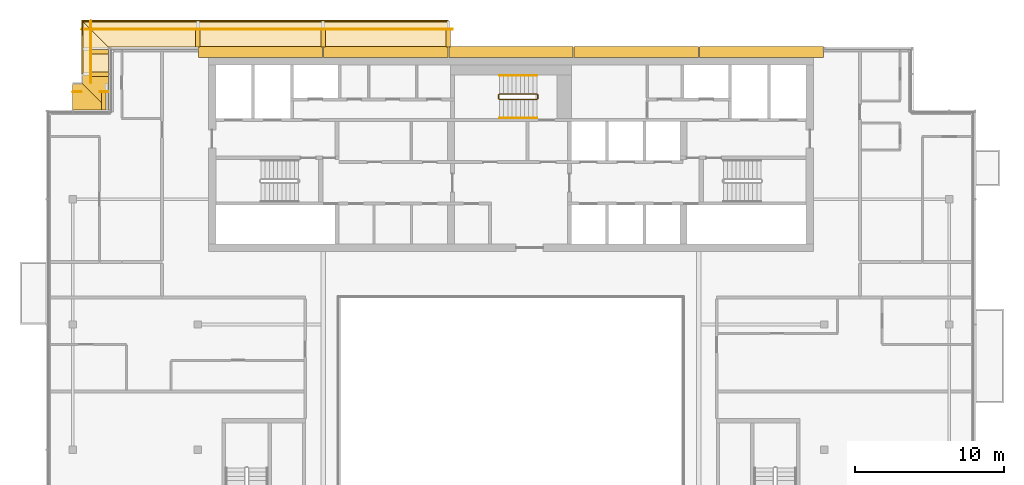
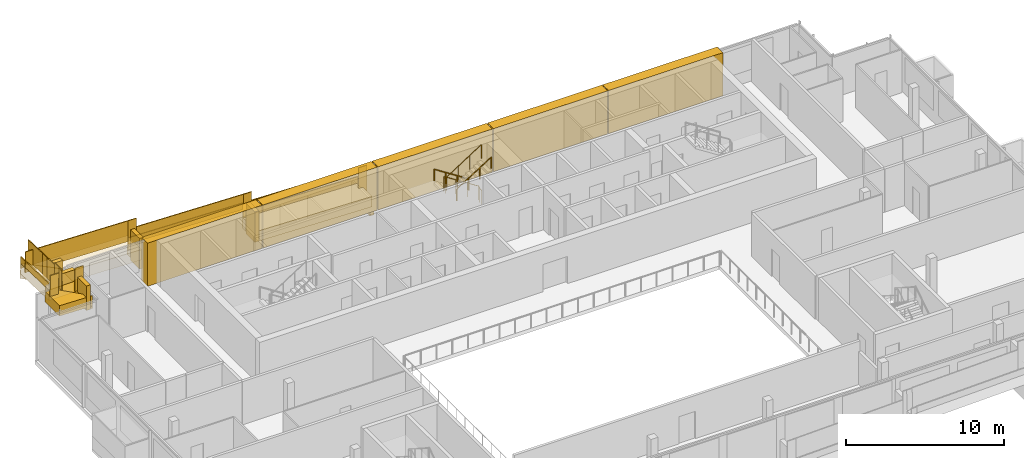
# One storey, part 19 of 21: 21 coverings, 15 railings.
"""IFC4 building model written with IfcOpenShell, lengths in metres."""

from ifc_helpers import new_model, si_unit, direction, frame, origin, origin_2d, place, context, subcontext, project, spatial, polyline, rectangle, circle, outline, extrude, material, layer, layer_set, type_object, element, save


model = new_model("IFC4")

# Units and contexts
model_context = context("Model", 3, precision=1e-05, world=origin(), true_north=direction((0.0, 1.0)))
body_context = subcontext(model_context, "Body", "Model", "MODEL_VIEW")
ifc_project = project(units=[si_unit("LENGTHUNIT", "METRE"), si_unit("AREAUNIT", "SQUARE_METRE"), si_unit("VOLUMEUNIT", "CUBIC_METRE"), si_unit("PLANEANGLEUNIT", "RADIAN"), si_unit("MASSUNIT", "GRAM", prefix="KILO")], contexts=[model_context])

# Site, building, storey
site_placement = place(None, origin())
site = spatial("IfcSite", under=ifc_project, at=site_placement, CompositionType="ELEMENT")
building_placement = place(site_placement, origin())
building = spatial("IfcBuilding", under=site, at=building_placement, Name="Saffron Gate Tower", CompositionType="ELEMENT")
storey_placement = place(building_placement, frame((0.0, 0.0, 288.75)))
storey = spatial("IfcBuildingStorey", under=building, at=storey_placement, Name="L70", CompositionType="ELEMENT", Elevation=288.75)

# Coverings
ifc_material_1 = material(Name="Ceramic-printed bronze insulated panel")
ifc_layer_1 = layer(ifc_material_1, 0.739990234375)
ifc_layer_set_1 = layer_set([ifc_layer_1], Name="CLD5 ceramic-printed cladding panel 740")
covering_type_1 = type_object("IfcCoveringType", Name="CLD5 ceramic-printed cladding panel 740", PredefinedType="CLADDING", material=ifc_layer_set_1)
covering_1_placement = place(storey_placement, origin())
element("IfcCovering", 1, at=covering_1_placement, inside=storey, type_object=covering_type_1, Name="CLADDING ceramic-printed panel", PredefinedType="CLADDING", context=body_context, shape_type="SweptSolid", body=[
    extrude(outline(polyline([(108.56494140625, 75.639892578125), (100.235107421875, 75.639892578125), (100.235107421875, 74.89990234375), (108.56494140625, 74.89990234375), (108.56494140625, 75.639892578125)])), origin(), (0.0, 0.0, 1.0), 3.320068359375),
])
covering_2_placement = place(storey_placement, origin())
element("IfcCovering", 2, at=covering_2_placement, inside=storey, type_object=covering_type_1, Name="CLADDING ceramic-printed panel", PredefinedType="CLADDING", context=body_context, shape_type="SweptSolid", body=[
    extrude(outline(polyline([(100.1650390625, 75.639892578125), (91.8349609375, 75.639892578125), (91.8349609375, 74.89990234375), (100.1650390625, 74.89990234375), (100.1650390625, 75.639892578125)])), origin(), (0.0, 0.0, 1.0), 3.320068359375),
])
covering_3_placement = place(storey_placement, origin())
element("IfcCovering", 3, at=covering_3_placement, inside=storey, type_object=covering_type_1, Name="CLADDING ceramic-printed panel", PredefinedType="CLADDING", context=body_context, shape_type="SweptSolid", body=[
    extrude(outline(polyline([(91.764892578125, 75.639892578125), (83.43505859375, 75.639892578125), (83.43505859375, 74.89990234375), (91.764892578125, 74.89990234375), (91.764892578125, 75.639892578125)])), origin(), (0.0, 0.0, 1.0), 3.320068359375),
])
covering_4_placement = place(storey_placement, origin())
element("IfcCovering", 4, at=covering_4_placement, inside=storey, type_object=covering_type_1, Name="CLADDING ceramic-printed panel", PredefinedType="CLADDING", context=body_context, shape_type="SweptSolid", body=[
    extrude(outline(polyline([(83.364990234375, 75.639892578125), (75.034912109375, 75.639892578125), (75.034912109375, 74.89990234375), (83.364990234375, 74.89990234375), (83.364990234375, 75.639892578125)])), origin(), (0.0, 0.0, 1.0), 3.320068359375),
])
covering_5_placement = place(storey_placement, origin())
element("IfcCovering", 5, at=covering_5_placement, inside=storey, type_object=covering_type_1, Name="CLADDING ceramic-printed panel", PredefinedType="CLADDING", context=body_context, shape_type="SweptSolid", body=[
    extrude(outline(polyline([(74.965087890625, 75.639892578125), (66.635009765625, 75.639892578125), (66.635009765625, 74.89990234375), (74.965087890625, 74.89990234375), (74.965087890625, 75.639892578125)])), origin(), (0.0, 0.0, 1.0), 3.320068359375),
])

# Railings
ifc_material_2 = material(Name="Stainless steel and laminated glass", Category="steel")
railing_type_1 = type_object("IfcRailingType", Name="CR1 Stair guard 1100", PredefinedType="GUARDRAIL", material=ifc_material_2)
railing_1_placement = place(storey_placement, frame((89.39990234375, 72.14990234375, 0.0)))
element("IfcRailing", 6, at=railing_1_placement, inside=storey, type_object=railing_type_1, Name="L70 ST-C stair guard 1", PredefinedType="GUARDRAIL", context=body_context, shape_type="SweptSolid", body=[
    extrude(circle(Radius=0.02392578125, at=origin_2d()), frame((0.0, 0.0, 1.076171875), z_axis=(0.0, 1.0, 0.0), x_axis=(-1.0, 0.0, 0.0)), (0.0, 0.0, 1.0), 0.25),
    extrude(circle(Radius=0.02392578125, at=origin_2d()), frame((0.0, 0.25, 1.076171875), z_axis=(-0.257669022063, 0.258932105505, 0.930892496375), x_axis=(-0.708833529934, -0.705375805398, 0.0)), (0.0, 0.0, 1.0), 0.193359375),
    extrude(circle(Radius=0.02392578125, at=origin_2d()), frame((-0.0498046875, 0.300048828125, 1.255859375), z_axis=(-0.841162588446, 0.0, 0.540782303519), x_axis=(0.0, -1.0, 0.0)), (0.0, 0.0, 1.0), 2.995849609375),
    extrude(circle(Radius=0.02392578125, at=origin_2d()), frame((-2.56982421875, 0.300048828125, 2.8759765625), z_axis=(-0.707106781187, -0.707106781187, 0.0), x_axis=(0.707106781187, -0.707106781187, 0.0)), (0.0, 0.0, 1.0), 0.07080078125),
    extrude(circle(Radius=0.02392578125, at=origin_2d()), frame((-2.619873046875, 0.25, 2.8759765625), z_axis=(0.0, -1.0, 0.0), x_axis=(1.0, 0.0, 0.0)), (0.0, 0.0, 1.0), 0.25),
    extrude(circle(Radius=0.02392578125, at=origin_2d()), frame((-2.619873046875, 0.0, 2.8759765625), z_axis=(0.258932105505, -0.257669022063, 0.930892496375), x_axis=(0.705375805398, 0.708833529934, 0.0)), (0.0, 0.0, 1.0), 0.193359375),
    extrude(circle(Radius=0.02392578125, at=origin_2d()), frame((-2.56982421875, -0.0498046875, 3.05615234375), z_axis=(0.841162588446, 0.0, 0.540782303519), x_axis=(0.0, 1.0, 0.0)), (0.0, 0.0, 1.0), 2.995849609375),
    extrude(circle(Radius=0.02099609375, at=origin_2d()), origin(), (0.0, 0.0, 1.0), 1.052001953125),
    extrude(circle(Radius=0.02099609375, at=origin_2d()), frame((0.0, 0.25, 0.0)), (0.0, 0.0, 1.0), 1.052001953125),
    extrude(circle(Radius=0.02099609375, at=origin_2d()), frame((-0.0498046875, 0.300048828125, 0.179931640625)), (0.0, 0.0, 1.0), 1.052001953125),
    extrude(circle(Radius=0.02099609375, at=origin_2d()), frame((-0.889892578125, 0.300048828125, 0.719970703125)), (0.0, 0.0, 1.0), 1.052001953125),
    extrude(circle(Radius=0.02099609375, at=origin_2d()), frame((-1.729736328125, 0.300048828125, 1.260009765625)), (0.0, 0.0, 1.0), 1.052001953125),
    extrude(circle(Radius=0.02099609375, at=origin_2d()), frame((-2.56982421875, 0.300048828125, 1.800048828125)), (0.0, 0.0, 1.0), 1.052001953125),
    extrude(circle(Radius=0.02099609375, at=origin_2d()), frame((-2.619873046875, 0.25, 1.800048828125)), (0.0, 0.0, 1.0), 1.052001953125),
    extrude(circle(Radius=0.02099609375, at=origin_2d()), frame((-2.619873046875, 0.0, 1.800048828125)), (0.0, 0.0, 1.0), 1.052001953125),
    extrude(circle(Radius=0.02099609375, at=origin_2d()), frame((-2.56982421875, -0.0498046875, 1.97998046875)), (0.0, 0.0, 1.0), 1.052001953125),
    extrude(circle(Radius=0.02099609375, at=origin_2d()), frame((-1.729736328125, -0.0498046875, 2.52001953125)), (0.0, 0.0, 1.0), 1.052001953125),
    extrude(circle(Radius=0.02099609375, at=origin_2d()), frame((-0.889892578125, -0.0498046875, 3.06005859375)), (0.0, 0.0, 1.0), 1.052001953125),
    extrude(circle(Radius=0.02099609375, at=origin_2d()), frame((-0.0498046875, -0.0498046875, 3.60009765625)), (0.0, 0.0, 1.0), 1.052001953125),
])
ifc_material_3 = material(Name="Stainless steel", Category="steel")
railing_type_2 = type_object("IfcRailingType", Name="CR2 Stair handrail 900", PredefinedType="HANDRAIL", material=ifc_material_3)
railing_2_placement = place(storey_placement, frame((89.35009765625, 73.699951171875, 0.179931640625)))
element("IfcRailing", 7, at=railing_2_placement, inside=storey, type_object=railing_type_2, Name="L70 ST-C stair handrail 1", PredefinedType="HANDRAIL", context=body_context, shape_type="SweptSolid", body=[
    extrude(circle(Radius=0.02392578125, at=origin_2d()), frame((0.0, 0.0, 0.8759765625), z_axis=(-0.841162588446, 0.0, 0.540782303519), x_axis=(0.0, -1.0, 0.0)), (0.0, 0.0, 1.0), 2.995849609375),
    extrude(circle(Radius=0.02099609375, at=origin_2d()), origin(), (0.0, 0.0, 1.0), 0.851806640625),
    extrude(circle(Radius=0.02099609375, at=origin_2d()), frame((-0.840087890625, 0.0, 0.5400390625)), (0.0, 0.0, 1.0), 0.851806640625),
    extrude(circle(Radius=0.02099609375, at=origin_2d()), frame((-1.679931640625, 0.0, 1.080078125)), (0.0, 0.0, 1.0), 0.851806640625),
    extrude(circle(Radius=0.02099609375, at=origin_2d()), frame((-2.52001953125, 0.0, 1.6201171875)), (0.0, 0.0, 1.0), 0.851806640625),
])
railing_3_placement = place(storey_placement, frame((86.830078125, 70.85009765625, 1.97998046875)))
element("IfcRailing", 8, at=railing_3_placement, inside=storey, type_object=railing_type_2, Name="L70 ST-C stair handrail 2", PredefinedType="HANDRAIL", context=body_context, shape_type="SweptSolid", body=[
    extrude(circle(Radius=0.02392578125, at=origin_2d()), frame((0.0, 0.0, 0.8759765625), z_axis=(0.841162588446, 0.0, 0.540782303519), x_axis=(0.0, 1.0, 0.0)), (0.0, 0.0, 1.0), 2.995849609375),
    extrude(circle(Radius=0.02099609375, at=origin_2d()), origin(), (0.0, 0.0, 1.0), 0.851806640625),
    extrude(circle(Radius=0.02099609375, at=origin_2d()), frame((0.840087890625, 0.0, 0.5400390625)), (0.0, 0.0, 1.0), 0.851806640625),
    extrude(circle(Radius=0.02099609375, at=origin_2d()), frame((1.679931640625, 0.0, 1.080078125)), (0.0, 0.0, 1.0), 0.851806640625),
    extrude(circle(Radius=0.02099609375, at=origin_2d()), frame((2.52001953125, 0.0, 1.6201171875)), (0.0, 0.0, 1.0), 0.851806640625),
])

# Coverings
ifc_material_4 = material(Name="Timber, thermally modified ash", Category="wood")
ifc_layer_2 = layer(ifc_material_4, 0.800048828125)
ifc_layer_set_2 = layer_set([ifc_layer_2], Name="LD1 ledge timber")
covering_type_2 = type_object("IfcCoveringType", Name="LD1 ledge timber", PredefinedType="CLADDING", material=ifc_layer_set_2)
covering_6_placement = place(storey_placement, frame((83.39990234375, 75.60009765625, 0.629638671875), z_axis=(0.028791175352, 0.0, 0.999585448184), x_axis=(-0.999585448184, 0.0, 0.028791175352)))
element("IfcCovering", 9, at=covering_6_placement, inside=storey, type_object=covering_type_2, Name="LEDGE", PredefinedType="CLADDING", context=body_context, shape_type="SweptSolid", body=[
    extrude(outline(polyline([(0.0, 0.0), (8.403385982666892, 0.0), (8.403385982666892, -1.7998046875), (0.0, -1.7998046875), (0.0, 0.0)])), origin(), (0.0, 0.0, -1.0), 0.800048828125),
])
covering_7_placement = place(storey_placement, frame((75.0, 75.60009765625, 1.52587890625), z_axis=(0.028820203882, 0.0, 0.99958461165), x_axis=(-0.99958461165, 0.0, 0.028820203882)))
element("IfcCovering", 10, at=covering_7_placement, inside=storey, type_object=covering_type_2, Name="LEDGE", PredefinedType="CLADDING", context=body_context, shape_type="SweptSolid", body=[
    extrude(outline(polyline([(0.0, 0.0), (8.40339301530596, 0.0), (8.40339301530596, -1.7998046875), (0.0, -1.7998046875), (0.0, 0.0)])), origin(), (0.0, 0.0, -1.0), 0.800048828125),
])
covering_8_placement = place(storey_placement, frame((66.60009765625, 75.60009765625, 2.42236328125), z_axis=(0.028807146299, -3.5032058e-05, 0.99958498743), x_axis=(-0.999584988043, -3.68e-10, 0.028807146316)))
element("IfcCovering", 11, at=covering_8_placement, inside=storey, type_object=covering_type_2, Name="LEDGE", PredefinedType="CLADDING", context=body_context, shape_type="SweptSolid", body=[
    extrude(outline(polyline([(0.0, 0.0), (6.0024892885105, 0.0), (7.8032891020589235, -1.799804691475862), (-6.622937652876953e-10, -1.7998046863955992), (0.0, 0.0)])), origin(), (0.0, 0.0, -1.0), 0.800048828125),
])
covering_9_placement = place(storey_placement, frame((60.60009765625, 75.60009765625, 3.062744140625), z_axis=(-1.29947e-06, 0.028742979799, 0.999586835203), x_axis=(-2e-12, -0.999586835204, 0.028742979799)))
element("IfcCovering", 12, at=covering_9_placement, inside=storey, type_object=covering_type_2, Name="LEDGE", PredefinedType="CLADDING", context=body_context, shape_type="SweptSolid", body=[
    extrude(outline(polyline([(0.0, 0.0), (1.8007927850764784, 0.0), (1.800792785079517, -1.8000488281234803), (-1.8005487453187516, -1.8000488281325988), (0.0, 0.0)])), origin(), (0.0, 0.0, -1.0), 0.800048828125),
])
covering_10_placement = place(storey_placement, frame((60.60009765625, 73.800048828125, 3.2548828125), z_axis=(-8.2123318e-05, 0.028713032424, 0.999587692514), x_axis=(5.056e-09, -0.999587695884, 0.028713032521)))
element("IfcCovering", 13, at=covering_10_placement, inside=storey, type_object=covering_type_2, Name="LEDGE", PredefinedType="CLADDING", context=body_context, shape_type="SweptSolid", body=[
    extrude(outline(polyline([(0.0, 0.0), (2.401140729112013, 0.0), (0.6003409256550367, -1.800048837230252), (-9.100891367664378e-09, -1.8000488220550201), (0.0, 0.0)])), origin(), (0.0, 0.0, -1.0), 0.800048828125),
])
covering_11_placement = place(storey_placement, frame((60.60009765625, 71.39990234375, 3.510986328125), z_axis=(0.028794305201, 2.6333678e-05, 0.999585357683), x_axis=(-0.99958535803, 5.2e-10, 0.028794305211)))
element("IfcCovering", 14, at=covering_11_placement, inside=storey, type_object=covering_type_2, Name="LEDGE", PredefinedType="CLADDING", context=body_context, shape_type="SweptSolid", body=[
    extrude(outline(polyline([(0.0, 0.0), (2.401140733194568, 0.0), (2.4011407341303483, -1.8000488275008664), (1.8007927835182762, -1.8000488290612322), (0.0, 0.0)])), origin(), (0.0, 0.0, -1.0), 0.800048828125),
])
ifc_layer_3 = layer(ifc_material_4, 0.080078125)
ifc_layer_set_3 = layer_set([ifc_layer_3], Name="LD2 ledge planter trough")
covering_type_3 = type_object("IfcCoveringType", Name="LD2 ledge planter trough", PredefinedType="CLADDING", material=ifc_layer_set_3)
covering_12_placement = place(storey_placement, frame((83.39990234375, 77.39990234375, 0.629638671875), z_axis=(0.0, 1.0, 0.0), x_axis=(-0.999585448184, 0.0, 0.028791175352)))
element("IfcCovering", 15, at=covering_12_placement, inside=storey, type_object=covering_type_3, Name="LEDGE planter trough", PredefinedType="CLADDING", context=body_context, shape_type="SweptSolid", body=[
    extrude(outline(polyline([(0.0, 0.0), (8.403385982666892, 0.0), (8.417781570342743, 0.49979272409216496), (0.014395587675851172, 0.4997927240921649), (0.0, 0.0)])), origin(), (0.0, 0.0, -1.0), 0.080078125),
])
covering_13_placement = place(storey_placement, frame((75.0, 77.39990234375, 1.52587890625), z_axis=(0.0, 1.0, 0.0), x_axis=(-0.99958461165, 0.0, 0.028820203882)))
element("IfcCovering", 16, at=covering_13_placement, inside=storey, type_object=covering_type_3, Name="LEDGE planter trough", PredefinedType="CLADDING", context=body_context, shape_type="SweptSolid", body=[
    extrude(outline(polyline([(0.0, 0.0), (8.40339301530596, 0.0), (8.41780311724686, 0.49979230582518264), (0.014410101940899296, 0.49979230582518264), (0.0, 0.0)])), origin(), (0.0, 0.0, -1.0), 0.080078125),
])
covering_14_placement = place(storey_placement, frame((66.60009765625, 77.39990234375, 2.42236328125), z_axis=(0.0, 1.0, 0.0), x_axis=(-0.999584755248, 0.0, 0.028815222999)))
element("IfcCovering", 17, at=covering_14_placement, inside=storey, type_object=covering_type_3, Name="LEDGE planter trough", PredefinedType="CLADDING", context=body_context, shape_type="SweptSolid", body=[
    extrude(outline(polyline([(0.0, 0.0), (7.803289102975944, 0.0), (7.8176967144752565, 0.4997923776238338), (0.014407611499312996, 0.4997923776238338), (0.0, 0.0)])), origin(), (0.0, 0.0, -1.0), 0.080078125),
])
covering_15_placement = place(storey_placement, frame((58.800048828125, 77.39990234375, 3.010986328125), z_axis=(-1.0, 0.0, 0.0), x_axis=(0.0, -0.999586816534, 0.028743629041)))
element("IfcCovering", 18, at=covering_15_placement, inside=storey, type_object=covering_type_3, Name="LEDGE planter trough", PredefinedType="CLADDING", context=body_context, shape_type="SweptSolid", body=[
    extrude(outline(polyline([(0.0, 0.0), (3.6013415303990284, 0.0), (3.615713344919565, 0.4997934082672433), (0.01437181452053653, 0.4997934082672433), (0.0, 0.0)])), origin(), (0.0, 0.0, -1.0), 0.080078125),
])
ifc_layer_4 = layer(ifc_material_4, 0.300048828125)
ifc_layer_set_4 = layer_set([ifc_layer_4], Name="LD3 ledge riser fin")
covering_type_4 = type_object("IfcCoveringType", Name="LD3 ledge riser fin", PredefinedType="CLADDING", material=ifc_layer_set_4)
for number, where, z_axis, x_axis, name in (
    (19, (83.39990234375, 76.159912109375, -0.824951171875), (0.0, 0.0, 1.0), (-1.0, 0.0, 0.0), "LEDGE riser fin"),
    (20, (75.0, 76.159912109375, 0.071533203125), (0.0, 0.0, 1.0), (-1.0, 0.0, 0.0), "LEDGE riser fin"),
    (21, (66.60009765625, 76.159912109375, 0.968017578125), (0.0, 0.0, 1.0), (-1.0, 0.0, 0.0), "LEDGE riser fin"),
):
    element("IfcCovering", number, at=place(storey_placement, frame(where, z_axis=z_axis, x_axis=x_axis)), inside=storey, type_object=covering_type_4, Name=name, PredefinedType="CLADDING", context=body_context, shape_type="SweptSolid", body=[
        extrude(rectangle(XDim=0.300048828125, YDim=1.1201171875, at=origin_2d()), origin(), (0.0, 0.0, 1.0), 2.3544921875),
    ])
covering_16_placement = place(storey_placement, frame((60.0400390625, 75.300048828125, 1.795166015625), z_axis=(0.0, 0.0, 1.0), x_axis=(0.0, -1.0, 0.0)))
element("IfcCovering", 22, at=covering_16_placement, inside=storey, type_object=covering_type_4, Name="LEDGE riser fin", PredefinedType="CLADDING", context=body_context, shape_type="SweptSolid", body=[
    extrude(rectangle(XDim=0.300048828125, YDim=1.1201171875, at=origin_2d()), origin(), (0.0, 0.0, 1.0), 2.16748046875),
])
covering_17_placement = place(storey_placement, frame((60.0400390625, 73.800048828125, 2.314453125), z_axis=(0.0, 0.0, 1.0), x_axis=(0.0, -1.0, 0.0)))
element("IfcCovering", 23, at=covering_17_placement, inside=storey, type_object=covering_type_4, Name="LEDGE riser fin", PredefinedType="CLADDING", context=body_context, shape_type="SweptSolid", body=[
    extrude(rectangle(XDim=0.300048828125, YDim=1.1201171875, at=origin_2d()), origin(), (0.0, 0.0, 1.0), 1.84033203125),
])
covering_18_placement = place(storey_placement, frame((60.300048828125, 71.9599609375, 2.52392578125), z_axis=(0.0, 0.0, 1.0), x_axis=(-1.0, 0.0, 0.0)))
element("IfcCovering", 24, at=covering_18_placement, inside=storey, type_object=covering_type_4, Name="LEDGE riser fin", PredefinedType="CLADDING", context=body_context, shape_type="SweptSolid", body=[
    extrude(rectangle(XDim=0.300048828125, YDim=1.1201171875, at=origin_2d()), origin(), (0.0, 0.0, 1.0), 1.886962890625),
])

# Railings
railing_type_3 = type_object("IfcRailingType", Name="LG1 ledge balustrade", PredefinedType="BALUSTRADE", material=ifc_material_4)
railing_4_placement = place(storey_placement, frame((83.39990234375, 76.800048828125, 0.629638671875)))
element("IfcRailing", 25, at=railing_4_placement, inside=storey, type_object=railing_type_3, Name="LEDGE BALUSTRADE", PredefinedType="BALUSTRADE", context=body_context, shape_type="SweptSolid", body=[
    extrude(rectangle(XDim=0.06005859375, YDim=1.60009765625, at=origin_2d()), frame((0.0, 0.0, 0.800048828125), z_axis=(-0.999585448184, 0.0, 0.028791175352), x_axis=(0.0, -1.0, 0.0)), (0.0, 0.0, 1.0), 8.4033203125),
])
railing_5_placement = place(storey_placement, frame((83.699951171875, 76.800048828125, -0.02490234375)))
element("IfcRailing", 26, at=railing_5_placement, inside=storey, type_object=railing_type_3, Name="LEDGE BALUSTRADE", PredefinedType="BALUSTRADE", context=body_context, shape_type="SweptSolid", body=[
    extrude(rectangle(XDim=0.06005859375, YDim=2.25439453125, at=origin_2d()), frame((0.0, 0.0, 1.127197265625), z_axis=(-1.0, 0.0, 0.0), x_axis=(0.0, -1.0, 0.0)), (0.0, 0.0, 1.0), 0.599853515625),
])
railing_6_placement = place(storey_placement, frame((75.0, 76.800048828125, 1.52587890625)))
element("IfcRailing", 27, at=railing_6_placement, inside=storey, type_object=railing_type_3, Name="LEDGE BALUSTRADE", PredefinedType="BALUSTRADE", context=body_context, shape_type="SweptSolid", body=[
    extrude(rectangle(XDim=0.06005859375, YDim=1.60009765625, at=origin_2d()), frame((0.0, 0.0, 0.800048828125), z_axis=(-0.99958461165, 0.0, 0.028820203882), x_axis=(0.0, -1.0, 0.0)), (0.0, 0.0, 1.0), 8.4033203125),
])
railing_7_placement = place(storey_placement, frame((75.300048828125, 76.800048828125, 0.87158203125)))
element("IfcRailing", 28, at=railing_7_placement, inside=storey, type_object=railing_type_3, Name="LEDGE BALUSTRADE", PredefinedType="BALUSTRADE", context=body_context, shape_type="SweptSolid", body=[
    extrude(rectangle(XDim=0.06005859375, YDim=2.25439453125, at=origin_2d()), frame((0.0, 0.0, 1.127197265625), z_axis=(-1.0, 0.0, 0.0), x_axis=(0.0, -1.0, 0.0)), (0.0, 0.0, 1.0), 0.60009765625),
])
railing_8_placement = place(storey_placement, frame((66.60009765625, 76.800048828125, 2.42236328125)))
element("IfcRailing", 29, at=railing_8_placement, inside=storey, type_object=railing_type_3, Name="LEDGE BALUSTRADE", PredefinedType="BALUSTRADE", context=body_context, shape_type="SweptSolid", body=[
    extrude(rectangle(XDim=0.06005859375, YDim=1.60009765625, at=origin_2d()), frame((0.0, 0.0, 0.800048828125), z_axis=(-0.999584755248, 0.0, 0.028815222999), x_axis=(0.0, -1.0, 0.0)), (0.0, 0.0, 1.0), 7.80322265625),
])
railing_9_placement = place(storey_placement, frame((66.89990234375, 76.800048828125, 1.76806640625)))
element("IfcRailing", 30, at=railing_9_placement, inside=storey, type_object=railing_type_3, Name="LEDGE BALUSTRADE", PredefinedType="BALUSTRADE", context=body_context, shape_type="SweptSolid", body=[
    extrude(rectangle(XDim=0.06005859375, YDim=2.25439453125, at=origin_2d()), frame((0.0, 0.0, 1.127197265625), z_axis=(-1.0, 0.0, 0.0), x_axis=(0.0, -1.0, 0.0)), (0.0, 0.0, 1.0), 0.599853515625),
])
railing_10_placement = place(storey_placement, frame((59.39990234375, 77.39990234375, 3.010986328125)))
element("IfcRailing", 31, at=railing_10_placement, inside=storey, type_object=railing_type_3, Name="LEDGE BALUSTRADE", PredefinedType="BALUSTRADE", context=body_context, shape_type="SweptSolid", body=[
    extrude(rectangle(XDim=0.06005859375, YDim=1.60009765625, at=origin_2d()), frame((0.0, 0.0, 0.800048828125), z_axis=(0.0, -0.999586816534, 0.028743629041), x_axis=(1.0, 0.0, 0.0)), (0.0, 0.0, 1.0), 3.601318359375),
])
railing_11_placement = place(storey_placement, frame((59.39990234375, 75.60009765625, 2.59521484375)))
element("IfcRailing", 32, at=railing_11_placement, inside=storey, type_object=railing_type_3, Name="LEDGE BALUSTRADE", PredefinedType="BALUSTRADE", context=body_context, shape_type="SweptSolid", body=[
    extrude(rectangle(XDim=0.06005859375, YDim=2.0673828125, at=origin_2d()), frame((0.0, 0.0, 1.03369140625), z_axis=(0.0, -1.0, 0.0), x_axis=(1.0, 0.0, 0.0)), (0.0, 0.0, 1.0), 0.60009765625),
])
railing_12_placement = place(storey_placement, frame((59.39990234375, 73.800048828125, 3.2548828125)))
element("IfcRailing", 33, at=railing_12_placement, inside=storey, type_object=railing_type_3, Name="LEDGE BALUSTRADE", PredefinedType="BALUSTRADE", context=body_context, shape_type="SweptSolid", body=[
    extrude(rectangle(XDim=0.06005859375, YDim=1.60009765625, at=origin_2d()), frame((0.0, 0.0, 0.800048828125), z_axis=(0.0, -0.999594735783, 0.028466896463), x_axis=(1.0, 0.0, 0.0)), (0.0, 0.0, 1.0), 0.600341796875),
])
railing_13_placement = place(storey_placement, frame((59.39990234375, 74.10009765625, 3.114501953125)))
element("IfcRailing", 34, at=railing_13_placement, inside=storey, type_object=railing_type_3, Name="LEDGE BALUSTRADE", PredefinedType="BALUSTRADE", context=body_context, shape_type="SweptSolid", body=[
    extrude(rectangle(XDim=0.06005859375, YDim=1.740234375, at=origin_2d()), frame((0.0, 0.0, 0.8701171875), z_axis=(0.0, -1.0, 0.0), x_axis=(1.0, 0.0, 0.0)), (0.0, 0.0, 1.0), 0.60009765625),
])
railing_14_placement = place(storey_placement, frame((58.800048828125, 72.60009765625, 3.562744140625)))
element("IfcRailing", 35, at=railing_14_placement, inside=storey, type_object=railing_type_3, Name="LEDGE BALUSTRADE", PredefinedType="BALUSTRADE", context=body_context, shape_type="SweptSolid", body=[
    extrude(rectangle(XDim=0.06005859375, YDim=1.60009765625, at=origin_2d()), frame((0.0, 0.0, 0.800048828125), z_axis=(-0.999583081391, 0.0, 0.028873229772), x_axis=(0.0, -1.0, 0.0)), (0.0, 0.0, 1.0), 0.600341796875),
])
railing_15_placement = place(storey_placement, frame((60.60009765625, 72.60009765625, 3.323974609375)))
element("IfcRailing", 36, at=railing_15_placement, inside=storey, type_object=railing_type_3, Name="LEDGE BALUSTRADE", PredefinedType="BALUSTRADE", context=body_context, shape_type="SweptSolid", body=[
    extrude(rectangle(XDim=0.06005859375, YDim=1.787109375, at=origin_2d()), frame((0.0, 0.0, 0.8935546875), z_axis=(-1.0, 0.0, 0.0), x_axis=(0.0, -1.0, 0.0)), (0.0, 0.0, 1.0), 0.60009765625),
])

save(model, "model.ifc")
